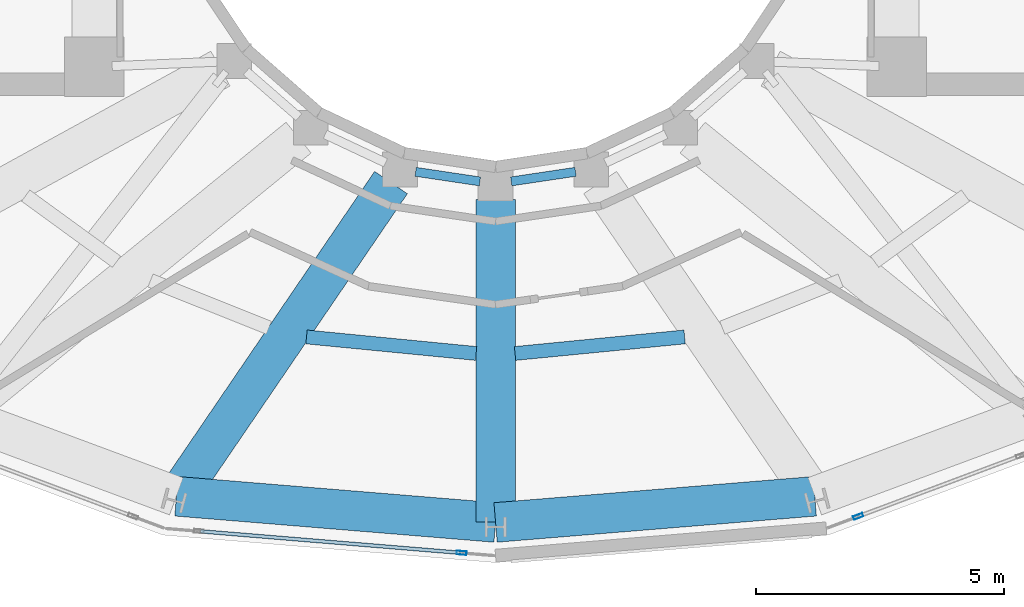
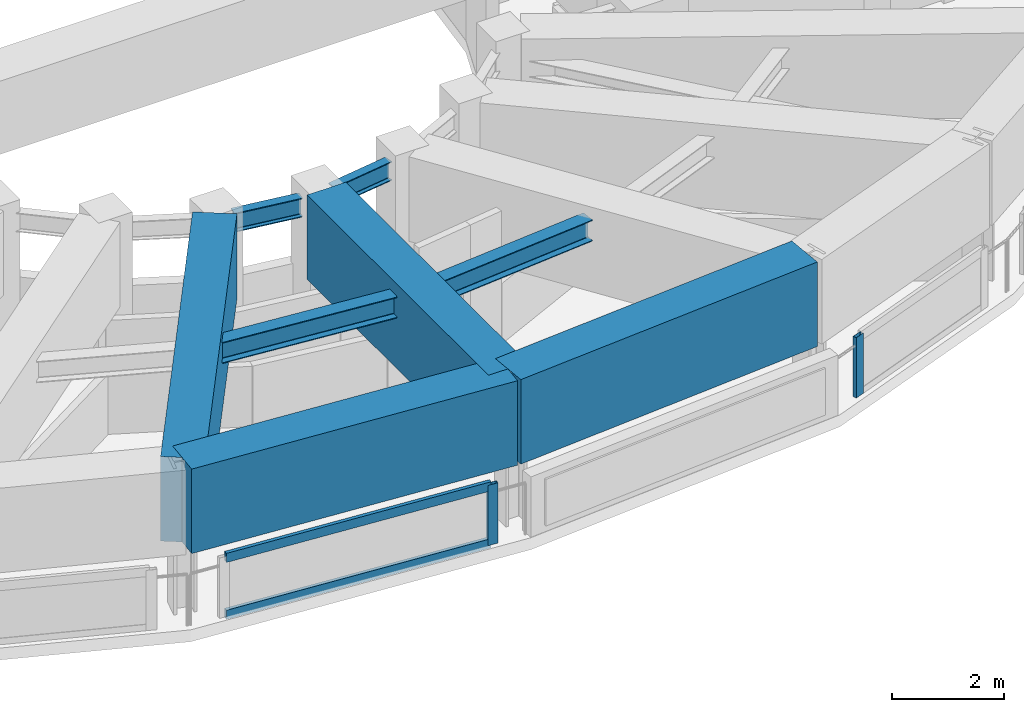
# One storey, part 4 of 18: 8 beams, 4 members, 2 elements without a shape of their own.
"""IFC4 building model written with IfcOpenShell, lengths in metres."""

from ifc_helpers import new_model, si_unit, direction, frame, origin, origin_2d, place, context, subcontext, project, spatial, rectangle, hollow_rectangle, i_section, extrude, material, layer, layer_set, material_profile, profile_set, type_object, element, aggregate, save


model = new_model("IFC4")

# Units and contexts
model_context = context("Model", 3, precision=1e-05, world=origin(), true_north=direction((0.0, 1.0)))
body_context = subcontext(model_context, "Body", "Model", "MODEL_VIEW")
ifc_project = project(units=[si_unit("LENGTHUNIT", "METRE"), si_unit("AREAUNIT", "SQUARE_METRE"), si_unit("VOLUMEUNIT", "CUBIC_METRE"), si_unit("PLANEANGLEUNIT", "RADIAN"), si_unit("MASSUNIT", "GRAM", prefix="KILO")], contexts=[model_context])

# Site, building, storey
site_placement = place(None, origin())
site = spatial("IfcSite", under=ifc_project, at=site_placement, CompositionType="ELEMENT")
building_placement = place(site_placement, origin())
building = spatial("IfcBuilding", under=site, at=building_placement, Name="Solvane Sanctuary Tower", CompositionType="ELEMENT")
storey_placement = place(building_placement, frame((0.0, 0.0, 263.60009765625)))
storey = spatial("IfcBuildingStorey", under=building, at=storey_placement, Name="L80", CompositionType="ELEMENT", Elevation=263.60009765625)

# Beams
ifc_material_1 = material(Name="Steel ASTM A992 Grade 50", Category="steel")
ifc_material_profile_1 = material_profile(ifc_material_1, i_section(OverallWidth=0.180908203125, OverallDepth=0.4169921875, WebThickness=0.010986328125, FlangeThickness=0.018310546875, FilletRadius=0.012939453125, at=origin_2d()), Name="W16X57")
ifc_profile_set_1 = profile_set([ifc_material_profile_1], Name="Steel ASTM A992 Grade 50")
beam_type_1 = type_object("IfcBeamType", Name="Beam B-ROOF-BM W16X57", PredefinedType="BEAM", material=ifc_profile_set_1)
for number, where, z_axis, x_axis, name in (
    (1, (30.3857421875, 14.781005859375, 2.7294921875), (0.989056121481, -0.147539786368, 0.0), (0.147539786368, 0.989056121481, 0.0), "L80 Inner Light-Well Ring Beam IC10-IC11"),
    (2, (32.31640625, 14.58740234375, 2.7294921875), (0.989056121481, 0.147539786368, 0.0), (-0.147539786368, 0.989056121481, 0.0), "L80 Inner Light-Well Ring Beam IC11-IC12"),
):
    element("IfcBeam", number, at=place(storey_placement, frame(where, z_axis=z_axis, x_axis=x_axis)), inside=storey, type_object=beam_type_1, Name=name, PredefinedType="BEAM", context=body_context, shape_type="SweptSolid", body=[
        extrude(i_section(OverallWidth=0.180908203125, OverallDepth=0.4169921875, WebThickness=0.010986328125, FlangeThickness=0.018310546875, FilletRadius=0.012939453125, at=origin_2d()), origin(), (0.0, 0.0, 1.0), 1.312255859375),
    ])
ifc_material_profile_2 = material_profile(ifc_material_1, i_section(OverallWidth=0.280029296875, OverallDepth=0.462890625, WebThickness=0.0107421875, FlangeThickness=0.017333984375, FilletRadius=0.013916015625, at=origin_2d()), Name="W18X76")
ifc_profile_set_2 = profile_set([ifc_material_profile_2], Name="Steel ASTM A992 Grade 50")
beam_type_2 = type_object("IfcBeamType", Name="Beam B-SEC-JOIST W18X76", PredefinedType="JOIST", material=ifc_profile_set_2)
for number, where, z_axis, x_axis, name in (
    (3, (28.183349609375, 11.447265625, 2.706298828125), (0.995289010485, -0.096952491501, 0.0), (0.096952491501, 0.995289010485, 0.0), "L80 Secondary Circumferential Joist 10-11"),
    (4, (32.39306640625, 11.11376953125, 2.706298828125), (0.995289010485, 0.096952491501, 0.0), (-0.096952491501, 0.995289010485, 0.0), "L80 Secondary Circumferential Joist 11-12"),
):
    element("IfcBeam", number, at=place(storey_placement, frame(where, z_axis=z_axis, x_axis=x_axis)), inside=storey, type_object=beam_type_2, Name=name, PredefinedType="JOIST", context=body_context, shape_type="SweptSolid", body=[
        extrude(i_section(OverallWidth=0.280029296875, OverallDepth=0.462890625, WebThickness=0.0107421875, FlangeThickness=0.017333984375, FilletRadius=0.013916015625, at=origin_2d()), origin(), (0.0, 0.0, 1.0), 3.439697265625),
    ])
ifc_material_2 = material(Name="Concrete C70/85", Category="concrete")
ifc_material_profile_3 = material_profile(ifc_material_2, rectangle(XDim=0.800048828125, YDim=1.85009765625, at=origin_2d()), Name="RC800X1850")
ifc_profile_set_3 = profile_set([ifc_material_profile_3], Name="Concrete C70/85")
beam_type_3 = type_object("IfcBeamType", Name="Beam B-XFER-BLK RC800X1850", PredefinedType="BEAM", material=ifc_profile_set_3)
beam_1_placement = place(storey_placement, frame((29.888916015625, 14.56396484375, 2.27490234375), z_axis=(-0.563314112338, -0.826242828012, 0.0), x_axis=(0.826242828012, -0.563314112338, 0.0)))
element("IfcBeam", 5, at=beam_1_placement, inside=storey, type_object=beam_type_3, Name="L80 Block-Shift Radial Transfer Girder 10A", PredefinedType="BEAM", context=body_context, shape_type="SweptSolid", body=[
    extrude(rectangle(XDim=0.800048828125, YDim=1.85009765625, at=origin_2d()), origin(), (0.0, 0.0, 1.0), 7.671630859375),
])
beam_2_placement = place(storey_placement, frame((32.0, 14.219970703125, 2.27490234375), z_axis=(0.0, -1.0, 0.0), x_axis=(1.0, 0.0, 0.0)))
element("IfcBeam", 6, at=beam_2_placement, inside=storey, type_object=beam_type_3, Name="L80 Block-Shift Radial Transfer Girder 11A", PredefinedType="BEAM", context=body_context, shape_type="SweptSolid", body=[
    extrude(rectangle(XDim=0.800048828125, YDim=1.85009765625, at=origin_2d()), origin(), (0.0, 0.0, 1.0), 6.509033203125),
])
for number, where, z_axis, x_axis, name in (
    (7, (25.556396484375, 8.23046875, 2.27490234375), (0.996652479026, -0.081754731068, 0.0), (0.081754731068, 0.996652479026, 0.0), "L80 Perimeter Step Transfer Ring NTC10-NTC11"),
    (8, (32.0, 7.701904296875, 2.27490234375), (0.996652479026, 0.081754731068, 0.0), (-0.081754731068, 0.996652479026, 0.0), "L80 Perimeter Step Transfer Ring NTC11-NTC12"),
):
    element("IfcBeam", number, at=place(storey_placement, frame(where, z_axis=z_axis, x_axis=x_axis)), inside=storey, type_object=beam_type_3, Name=name, PredefinedType="BEAM", context=body_context, shape_type="SweptSolid", body=[
        extrude(rectangle(XDim=0.800048828125, YDim=1.85009765625, at=origin_2d()), origin(), (0.0, 0.0, 1.0), 6.46533203125),
    ])

# Curtain wall, member
ifc_material_3 = material(Name="Anodised Aluminium 6063-T6", Category="aluminium")
ifc_layer = layer(ifc_material_3, 0.219970703125, Name="Anodised Aluminium 6063-T6")
ifc_layer_set = layer_set([ifc_layer], Name="Anodised Aluminium 6063-T6")
curtain_wall_type = type_object("IfcCurtainWallType", Name="Curtain Wall CW-CROWN", PredefinedType="NOTDEFINED", material=ifc_layer_set)
curtain_wall_1_placement = place(storey_placement, origin())
curtain_wall_1 = element("IfcCurtainWall", 9, at=curtain_wall_1_placement, inside=storey, type_object=curtain_wall_type, Name="L80 Crown Fritted Lantern Curtain Wall 17", PredefinedType="NOTDEFINED")
ifc_material_profile_4 = material_profile(ifc_material_3, hollow_rectangle(XDim=0.074951171875, YDim=0.199951171875, WallThickness=0.00390625, at=origin_2d()), Name="ALU200X75X4")
ifc_profile_set_4 = profile_set([ifc_material_profile_4], Name="Anodised Aluminium 6063-T6")
member_type_1 = type_object("IfcMemberType", Name="Member M-CW-MUL-1 ALU200X75X4", PredefinedType="MULLION", material=ifc_profile_set_4)
member_1_placement = place(storey_placement, frame((31.31494140625, 7.087646484375, 0.0), z_axis=(0.0, 0.0, 1.0), x_axis=(0.082375536663, 0.996601360103, 0.0)))
member_1 = element("IfcMember", 10, at=member_1_placement, type_object=member_type_1, Name="CW-CROWN mullion 2", PredefinedType="MULLION", context=body_context, shape_type="SweptSolid", body=[
    extrude(hollow_rectangle(XDim=0.074951171875, YDim=0.199951171875, WallThickness=0.00390625, at=origin_2d()), origin(), (0.0, 0.0, 1.0), 1.31982421875),
])

curtain_wall_2_placement = place(storey_placement, origin())
curtain_wall_2 = element("IfcCurtainWall", 11, at=curtain_wall_2_placement, inside=storey, type_object=curtain_wall_type, Name="L80 Crown Fritted Lantern Curtain Wall 19", PredefinedType="NOTDEFINED")
member_2_placement = place(storey_placement, frame((39.319580078125, 7.82373046875, 0.0), z_axis=(0.0, 0.0, 1.0), x_axis=(-0.350518151106, 0.936555938396, 0.0)))
member_2 = element("IfcMember", 12, at=member_2_placement, type_object=member_type_1, Name="CW-CROWN mullion 1", PredefinedType="MULLION", context=body_context, shape_type="SweptSolid", body=[
    extrude(hollow_rectangle(XDim=0.074951171875, YDim=0.199951171875, WallThickness=0.00390625, at=origin_2d()), origin(), (0.0, 0.0, 1.0), 1.31982421875),
])
aggregate(curtain_wall_2, [member_2])

# Member
ifc_material_profile_5 = material_profile(ifc_material_3, hollow_rectangle(XDim=0.074951171875, YDim=0.199951171875, WallThickness=0.00390625, at=origin_2d()), Name="ALU200X75X4")
ifc_profile_set_5 = profile_set([ifc_material_profile_5], Name="Anodised Aluminium 6063-T6")
member_type_2 = type_object("IfcMemberType", Name="Member M-CW-TRN-2 ALU200X75X4", PredefinedType="USERDEFINED", material=ifc_profile_set_5)
member_3_placement = place(storey_placement, frame((26.046875, 7.52294921875, 0.037353515625), z_axis=(0.996600718179, -0.08238330246, 0.0), x_axis=(0.08238330246, 0.996600718179, 0.0)))
member_3 = element("IfcMember", 13, at=member_3_placement, type_object=member_type_2, Name="CW-CROWN transom 1.1", ObjectType="TRANSOM", PredefinedType="USERDEFINED", context=body_context, shape_type="SweptSolid", body=[
    extrude(hollow_rectangle(XDim=0.074951171875, YDim=0.199951171875, WallThickness=0.00390625, at=origin_2d()), origin(), (0.0, 0.0, 1.0), 5.248291015625),
])

member_4_placement = place(storey_placement, frame((26.046875, 7.52294921875, 1.282470703125), z_axis=(0.996600718179, -0.08238330246, 0.0), x_axis=(0.08238330246, 0.996600718179, 0.0)))
member_4 = element("IfcMember", 14, at=member_4_placement, type_object=member_type_2, Name="CW-CROWN transom 1.2", ObjectType="TRANSOM", PredefinedType="USERDEFINED", context=body_context, shape_type="SweptSolid", body=[
    extrude(hollow_rectangle(XDim=0.074951171875, YDim=0.199951171875, WallThickness=0.00390625, at=origin_2d()), origin(), (0.0, 0.0, 1.0), 5.248291015625),
])

aggregate(curtain_wall_1, [member_1, member_3, member_4])

save(model, "model.ifc")
